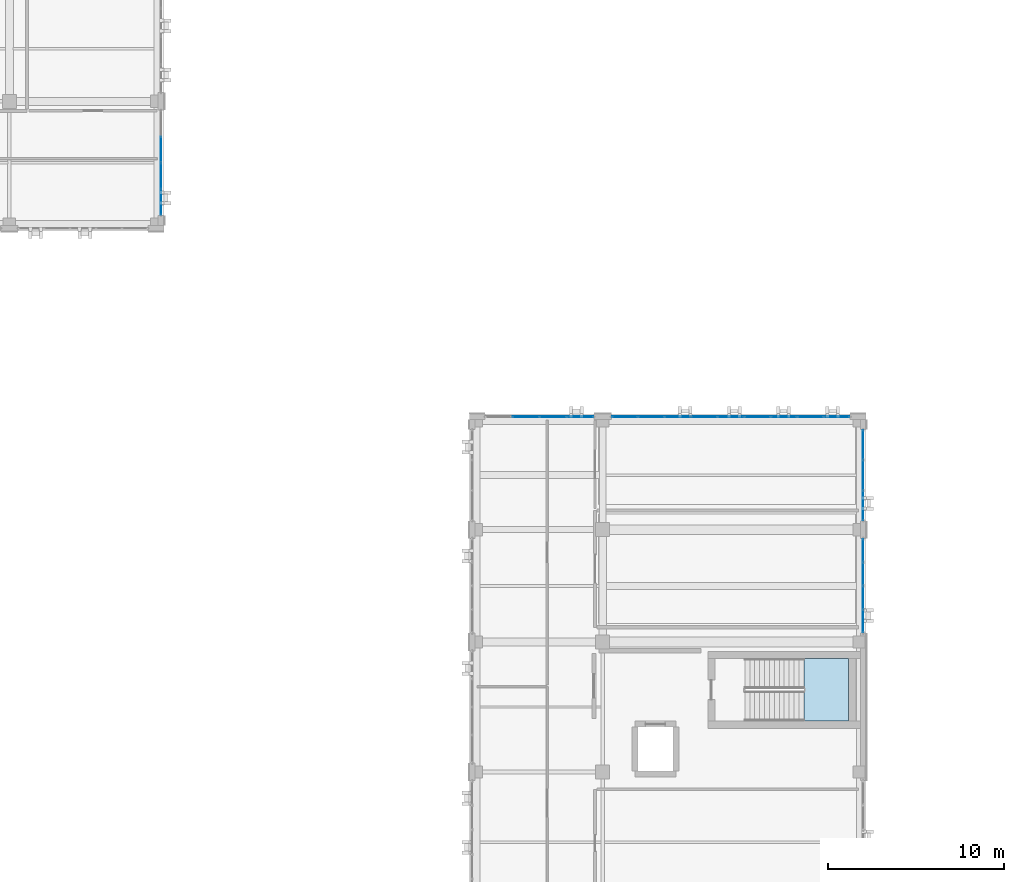
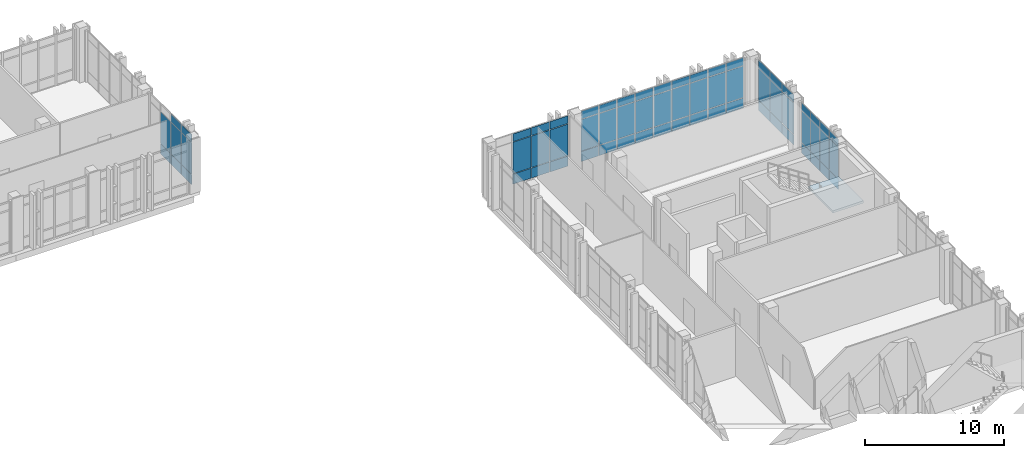
# One storey, part 146 of 189: 65 plates, 1 slab, 6 elements without a shape of their own.
"""IFC4 building model written with IfcOpenShell, lengths in metres."""

from ifc_helpers import new_model, si_unit, direction, frame, origin, origin_2d, place, context, subcontext, project, spatial, polyline, rectangle, outline, extrude, material, layer, layer_set, type_object, element, aggregate, save


model = new_model("IFC4")

# Units and contexts
model_context = context("Model", 3, precision=1e-05, world=origin(), true_north=direction((0.0, 1.0)))
body_context = subcontext(model_context, "Body", "Model", "MODEL_VIEW")
ifc_project = project(units=[si_unit("LENGTHUNIT", "METRE"), si_unit("AREAUNIT", "SQUARE_METRE"), si_unit("VOLUMEUNIT", "CUBIC_METRE"), si_unit("PLANEANGLEUNIT", "RADIAN"), si_unit("MASSUNIT", "GRAM", prefix="KILO")], contexts=[model_context])

# Site, building, storey
site_placement = place(None, origin())
site = spatial("IfcSite", under=ifc_project, at=site_placement, CompositionType="ELEMENT")
building_placement = place(site_placement, origin())
building = spatial("IfcBuilding", under=site, at=building_placement, Name="Qalavern Law Courts", CompositionType="ELEMENT")
storey_placement = place(building_placement, frame((0.0, 0.0, 5.39990234375)))
storey = spatial("IfcBuildingStorey", under=building, at=storey_placement, Name="L01", CompositionType="ELEMENT", Elevation=5.39990234375)

# Curtain wall, plates
ifc_material_1 = material(Name="Anodised aluminium and insulated glazing", Category="aluminium")
ifc_layer_1 = layer(ifc_material_1, 0.172119140625)
ifc_layer_set_1 = layer_set([ifc_layer_1], Name="Anodised aluminium and insulated glazing")
curtain_wall_type_1 = type_object("IfcCurtainWallType", Name="ENV-CW-COURT", PredefinedType="USERDEFINED", material=ifc_layer_set_1)
curtain_wall_1_placement = place(storey_placement, origin())
curtain_wall_1 = element("IfcCurtainWall", 1, at=curtain_wall_1_placement, inside=storey, type_object=curtain_wall_type_1, Name="V4 unitised curtain wall L01 east 4", ObjectType="UNITISED CURTAIN WALL", PredefinedType="USERDEFINED")
ifc_material_2 = material(Name="Insulated low-E acoustic glazing", Category="glass")
ifc_layer_2 = layer(ifc_material_2, 0.02392578125)
ifc_layer_set_2 = layer_set([ifc_layer_2], Name="Insulated low-E acoustic glazing")
plate_type_1 = type_object("IfcPlateType", Name="ENV-CWP-24", PredefinedType="CURTAIN_PANEL", material=ifc_layer_set_2)
plate_1_placement = place(storey_placement, frame((106.637451171875, 73.987060546875, 0.048095703125), z_axis=(0.0, 0.0, 1.0), x_axis=(0.0, 1.0, 0.0)))
plate_1 = element("IfcPlate", 2, at=plate_1_placement, type_object=plate_type_1, Name="CW-03 panel 1.1", PredefinedType="CURTAIN_PANEL", context=body_context, shape_type="SweptSolid", body=[
    extrude(rectangle(XDim=1.278076171875, YDim=0.02392578125, at=origin_2d()), origin(), (0.0, 0.0, 1.0), 0.8779296875),
])
plate_2_placement = place(storey_placement, frame((106.637451171875, 73.987060546875, 0.97412109375), z_axis=(0.0, 0.0, 1.0), x_axis=(0.0, 1.0, 0.0)))
plate_2 = element("IfcPlate", 3, at=plate_2_placement, type_object=plate_type_1, Name="CW-03 panel 1.2", PredefinedType="CURTAIN_PANEL", context=body_context, shape_type="SweptSolid", body=[
    extrude(rectangle(XDim=1.278076171875, YDim=0.02392578125, at=origin_2d()), origin(), (0.0, 0.0, 1.0), 2.761962890625),
])
plate_3_placement = place(storey_placement, frame((106.637451171875, 73.987060546875, 3.7841796875), z_axis=(0.0, 0.0, 1.0), x_axis=(0.0, 1.0, 0.0)))
plate_3 = element("IfcPlate", 4, at=plate_3_placement, type_object=plate_type_1, Name="CW-03 panel 1.3", PredefinedType="CURTAIN_PANEL", context=body_context, shape_type="SweptSolid", body=[
    extrude(rectangle(XDim=1.278076171875, YDim=0.02392578125, at=origin_2d()), origin(), (0.0, 0.0, 1.0), 0.677978515625),
])
plate_4_placement = place(storey_placement, frame((106.637451171875, 75.324951171875, 0.048095703125), z_axis=(0.0, 0.0, 1.0), x_axis=(0.0, 1.0, 0.0)))
plate_4 = element("IfcPlate", 5, at=plate_4_placement, type_object=plate_type_1, Name="CW-03 panel 2.1", PredefinedType="CURTAIN_PANEL", context=body_context, shape_type="SweptSolid", body=[
    extrude(rectangle(XDim=1.302001953125, YDim=0.02392578125, at=origin_2d()), origin(), (0.0, 0.0, 1.0), 0.8779296875),
])
plate_5_placement = place(storey_placement, frame((106.637451171875, 75.324951171875, 0.97412109375), z_axis=(0.0, 0.0, 1.0), x_axis=(0.0, 1.0, 0.0)))
plate_5 = element("IfcPlate", 6, at=plate_5_placement, type_object=plate_type_1, Name="CW-03 panel 2.2", PredefinedType="CURTAIN_PANEL", context=body_context, shape_type="SweptSolid", body=[
    extrude(rectangle(XDim=1.302001953125, YDim=0.02392578125, at=origin_2d()), origin(), (0.0, 0.0, 1.0), 2.761962890625),
])
plate_6_placement = place(storey_placement, frame((106.637451171875, 75.324951171875, 3.7841796875), z_axis=(0.0, 0.0, 1.0), x_axis=(0.0, 1.0, 0.0)))
plate_6 = element("IfcPlate", 7, at=plate_6_placement, type_object=plate_type_1, Name="CW-03 panel 2.3", PredefinedType="CURTAIN_PANEL", context=body_context, shape_type="SweptSolid", body=[
    extrude(rectangle(XDim=1.302001953125, YDim=0.02392578125, at=origin_2d()), origin(), (0.0, 0.0, 1.0), 0.677978515625),
])
plate_7_placement = place(storey_placement, frame((106.637451171875, 76.675048828125, 0.048095703125), z_axis=(0.0, 0.0, 1.0), x_axis=(0.0, 1.0, 0.0)))
plate_7 = element("IfcPlate", 8, at=plate_7_placement, type_object=plate_type_1, Name="CW-03 panel 3.1", PredefinedType="CURTAIN_PANEL", context=body_context, shape_type="SweptSolid", body=[
    extrude(rectangle(XDim=1.302001953125, YDim=0.02392578125, at=origin_2d()), origin(), (0.0, 0.0, 1.0), 0.8779296875),
])
plate_8_placement = place(storey_placement, frame((106.637451171875, 76.675048828125, 0.97412109375), z_axis=(0.0, 0.0, 1.0), x_axis=(0.0, 1.0, 0.0)))
plate_8 = element("IfcPlate", 9, at=plate_8_placement, type_object=plate_type_1, Name="CW-03 panel 3.2", PredefinedType="CURTAIN_PANEL", context=body_context, shape_type="SweptSolid", body=[
    extrude(rectangle(XDim=1.302001953125, YDim=0.02392578125, at=origin_2d()), origin(), (0.0, 0.0, 1.0), 2.761962890625),
])
plate_9_placement = place(storey_placement, frame((106.637451171875, 76.675048828125, 3.7841796875), z_axis=(0.0, 0.0, 1.0), x_axis=(0.0, 1.0, 0.0)))
plate_9 = element("IfcPlate", 10, at=plate_9_placement, type_object=plate_type_1, Name="CW-03 panel 3.3", PredefinedType="CURTAIN_PANEL", context=body_context, shape_type="SweptSolid", body=[
    extrude(rectangle(XDim=1.302001953125, YDim=0.02392578125, at=origin_2d()), origin(), (0.0, 0.0, 1.0), 0.677978515625),
])
plate_10_placement = place(storey_placement, frame((106.637451171875, 78.012939453125, 0.048095703125), z_axis=(0.0, 0.0, 1.0), x_axis=(0.0, 1.0, 0.0)))
plate_10 = element("IfcPlate", 11, at=plate_10_placement, type_object=plate_type_1, Name="CW-03 panel 4.1", PredefinedType="CURTAIN_PANEL", context=body_context, shape_type="SweptSolid", body=[
    extrude(rectangle(XDim=1.278076171875, YDim=0.02392578125, at=origin_2d()), origin(), (0.0, 0.0, 1.0), 0.8779296875),
])
plate_11_placement = place(storey_placement, frame((106.637451171875, 78.012939453125, 0.97412109375), z_axis=(0.0, 0.0, 1.0), x_axis=(0.0, 1.0, 0.0)))
plate_11 = element("IfcPlate", 12, at=plate_11_placement, type_object=plate_type_1, Name="CW-03 panel 4.2", PredefinedType="CURTAIN_PANEL", context=body_context, shape_type="SweptSolid", body=[
    extrude(rectangle(XDim=1.278076171875, YDim=0.02392578125, at=origin_2d()), origin(), (0.0, 0.0, 1.0), 2.761962890625),
])
plate_12_placement = place(storey_placement, frame((106.637451171875, 78.012939453125, 3.7841796875), z_axis=(0.0, 0.0, 1.0), x_axis=(0.0, 1.0, 0.0)))
plate_12 = element("IfcPlate", 13, at=plate_12_placement, type_object=plate_type_1, Name="CW-03 panel 4.3", PredefinedType="CURTAIN_PANEL", context=body_context, shape_type="SweptSolid", body=[
    extrude(rectangle(XDim=1.278076171875, YDim=0.02392578125, at=origin_2d()), origin(), (0.0, 0.0, 1.0), 0.677978515625),
])
aggregate(curtain_wall_1, [plate_1, plate_2, plate_3, plate_4, plate_5, plate_6, plate_7, plate_8, plate_9, plate_10, plate_11, plate_12])

curtain_wall_2_placement = place(storey_placement, origin())
curtain_wall_2 = element("IfcCurtainWall", 14, at=curtain_wall_2_placement, inside=storey, type_object=curtain_wall_type_1, Name="V4 unitised curtain wall L01 east 5", ObjectType="UNITISED CURTAIN WALL", PredefinedType="USERDEFINED")
ifc_layer_3 = layer(ifc_material_2, 0.028076171875)
ifc_layer_set_3 = layer_set([ifc_layer_3], Name="Insulated low-E acoustic glazing")
plate_type_2 = type_object("IfcPlateType", Name="ENV-CWP-28", PredefinedType="CURTAIN_PANEL", material=ifc_layer_set_3)
plate_13_placement = place(storey_placement, frame((106.637451171875, 80.57861328125, 0.048095703125), z_axis=(0.0, 0.0, 1.0), x_axis=(0.0, 1.0, 0.0)))
plate_13 = element("IfcPlate", 15, at=plate_13_placement, type_object=plate_type_2, Name="CW-03 panel 1.1", PredefinedType="CURTAIN_PANEL", context=body_context, shape_type="SweptSolid", body=[
    extrude(rectangle(XDim=1.661376953125, YDim=0.028076171875, at=origin_2d()), origin(), (0.0, 0.0, 1.0), 0.8779296875),
])
plate_14_placement = place(storey_placement, frame((106.637451171875, 80.57861328125, 0.97412109375), z_axis=(0.0, 0.0, 1.0), x_axis=(0.0, 1.0, 0.0)))
plate_14 = element("IfcPlate", 16, at=plate_14_placement, type_object=plate_type_2, Name="CW-03 panel 1.2", PredefinedType="CURTAIN_PANEL", context=body_context, shape_type="SweptSolid", body=[
    extrude(rectangle(XDim=1.661376953125, YDim=0.028076171875, at=origin_2d()), origin(), (0.0, 0.0, 1.0), 2.761962890625),
])
plate_15_placement = place(storey_placement, frame((106.637451171875, 80.57861328125, 3.7841796875), z_axis=(0.0, 0.0, 1.0), x_axis=(0.0, 1.0, 0.0)))
plate_15 = element("IfcPlate", 17, at=plate_15_placement, type_object=plate_type_2, Name="CW-03 panel 1.3", PredefinedType="CURTAIN_PANEL", context=body_context, shape_type="SweptSolid", body=[
    extrude(rectangle(XDim=1.661376953125, YDim=0.028076171875, at=origin_2d()), origin(), (0.0, 0.0, 1.0), 0.677978515625),
])
plate_16_placement = place(storey_placement, frame((106.637451171875, 82.300048828125, 0.048095703125), z_axis=(0.0, 0.0, 1.0), x_axis=(0.0, 1.0, 0.0)))
plate_16 = element("IfcPlate", 18, at=plate_16_placement, type_object=plate_type_2, Name="CW-03 panel 2.1", PredefinedType="CURTAIN_PANEL", context=body_context, shape_type="SweptSolid", body=[
    extrude(rectangle(XDim=1.685302734375, YDim=0.028076171875, at=origin_2d()), origin(), (0.0, 0.0, 1.0), 0.8779296875),
])
plate_17_placement = place(storey_placement, frame((106.637451171875, 82.300048828125, 0.97412109375), z_axis=(0.0, 0.0, 1.0), x_axis=(0.0, 1.0, 0.0)))
plate_17 = element("IfcPlate", 19, at=plate_17_placement, type_object=plate_type_2, Name="CW-03 panel 2.2", PredefinedType="CURTAIN_PANEL", context=body_context, shape_type="SweptSolid", body=[
    extrude(rectangle(XDim=1.685302734375, YDim=0.028076171875, at=origin_2d()), origin(), (0.0, 0.0, 1.0), 2.761962890625),
])
plate_18_placement = place(storey_placement, frame((106.637451171875, 82.300048828125, 3.7841796875), z_axis=(0.0, 0.0, 1.0), x_axis=(0.0, 1.0, 0.0)))
plate_18 = element("IfcPlate", 20, at=plate_18_placement, type_object=plate_type_2, Name="CW-03 panel 2.3", PredefinedType="CURTAIN_PANEL", context=body_context, shape_type="SweptSolid", body=[
    extrude(rectangle(XDim=1.685302734375, YDim=0.028076171875, at=origin_2d()), origin(), (0.0, 0.0, 1.0), 0.677978515625),
])
plate_19_placement = place(storey_placement, frame((106.637451171875, 84.021240234375, 0.048095703125), z_axis=(0.0, 0.0, 1.0), x_axis=(0.0, 1.0, 0.0)))
plate_19 = element("IfcPlate", 21, at=plate_19_placement, type_object=plate_type_2, Name="CW-03 panel 3.1", PredefinedType="CURTAIN_PANEL", context=body_context, shape_type="SweptSolid", body=[
    extrude(rectangle(XDim=1.661376953125, YDim=0.028076171875, at=origin_2d()), origin(), (0.0, 0.0, 1.0), 0.8779296875),
])
plate_20_placement = place(storey_placement, frame((106.637451171875, 84.021240234375, 0.97412109375), z_axis=(0.0, 0.0, 1.0), x_axis=(0.0, 1.0, 0.0)))
plate_20 = element("IfcPlate", 22, at=plate_20_placement, type_object=plate_type_2, Name="CW-03 panel 3.2", PredefinedType="CURTAIN_PANEL", context=body_context, shape_type="SweptSolid", body=[
    extrude(rectangle(XDim=1.661376953125, YDim=0.028076171875, at=origin_2d()), origin(), (0.0, 0.0, 1.0), 2.761962890625),
])
plate_21_placement = place(storey_placement, frame((106.637451171875, 84.021240234375, 3.7841796875), z_axis=(0.0, 0.0, 1.0), x_axis=(0.0, 1.0, 0.0)))
plate_21 = element("IfcPlate", 23, at=plate_21_placement, type_object=plate_type_2, Name="CW-03 panel 3.3", PredefinedType="CURTAIN_PANEL", context=body_context, shape_type="SweptSolid", body=[
    extrude(rectangle(XDim=1.661376953125, YDim=0.028076171875, at=origin_2d()), origin(), (0.0, 0.0, 1.0), 0.677978515625),
])
aggregate(curtain_wall_2, [plate_13, plate_14, plate_15, plate_16, plate_17, plate_18, plate_19, plate_20, plate_21])

curtain_wall_3_placement = place(storey_placement, origin())
curtain_wall_3 = element("IfcCurtainWall", 24, at=curtain_wall_3_placement, inside=storey, type_object=curtain_wall_type_1, Name="V4 unitised curtain wall L01 north 1", ObjectType="UNITISED CURTAIN WALL", PredefinedType="USERDEFINED")
ifc_layer_4 = layer(ifc_material_2, 0.0439453125)
ifc_layer_set_4 = layer_set([ifc_layer_4], Name="Insulated low-E acoustic glazing")
plate_type_3 = type_object("IfcPlateType", Name="ENV-CWP-44", PredefinedType="CURTAIN_PANEL", material=ifc_layer_set_4)
plate_22_placement = place(storey_placement, frame((105.13232421875, 85.637451171875, 0.048095703125), z_axis=(0.0, 0.0, 1.0), x_axis=(-1.0, 0.0, 0.0)))
plate_22 = element("IfcPlate", 25, at=plate_22_placement, type_object=plate_type_3, Name="CW-03 panel 1.1", PredefinedType="CURTAIN_PANEL", context=body_context, shape_type="SweptSolid", body=[
    extrude(rectangle(XDim=1.439208984375, YDim=0.0439453125, at=origin_2d()), origin(), (0.0, 0.0, 1.0), 0.8779296875),
])
plate_23_placement = place(storey_placement, frame((105.13232421875, 85.637451171875, 0.97412109375), z_axis=(0.0, 0.0, 1.0), x_axis=(-1.0, 0.0, 0.0)))
plate_23 = element("IfcPlate", 26, at=plate_23_placement, type_object=plate_type_3, Name="CW-03 panel 1.2", PredefinedType="CURTAIN_PANEL", context=body_context, shape_type="SweptSolid", body=[
    extrude(rectangle(XDim=1.439208984375, YDim=0.0439453125, at=origin_2d()), origin(), (0.0, 0.0, 1.0), 2.761962890625),
])
plate_24_placement = place(storey_placement, frame((105.13232421875, 85.637451171875, 3.7841796875), z_axis=(0.0, 0.0, 1.0), x_axis=(-1.0, 0.0, 0.0)))
plate_24 = element("IfcPlate", 27, at=plate_24_placement, type_object=plate_type_3, Name="CW-03 panel 1.3", PredefinedType="CURTAIN_PANEL", context=body_context, shape_type="SweptSolid", body=[
    extrude(rectangle(XDim=1.439208984375, YDim=0.0439453125, at=origin_2d()), origin(), (0.0, 0.0, 1.0), 0.677978515625),
])
plate_25_placement = place(storey_placement, frame((103.63330078125, 85.637451171875, 0.048095703125), z_axis=(0.0, 0.0, 1.0), x_axis=(-1.0, 0.0, 0.0)))
plate_25 = element("IfcPlate", 28, at=plate_25_placement, type_object=plate_type_3, Name="CW-03 panel 2.1", PredefinedType="CURTAIN_PANEL", context=body_context, shape_type="SweptSolid", body=[
    extrude(rectangle(XDim=1.463134765625, YDim=0.0439453125, at=origin_2d()), origin(), (0.0, 0.0, 1.0), 0.8779296875),
])
plate_26_placement = place(storey_placement, frame((103.63330078125, 85.637451171875, 0.97412109375), z_axis=(0.0, 0.0, 1.0), x_axis=(-1.0, 0.0, 0.0)))
plate_26 = element("IfcPlate", 29, at=plate_26_placement, type_object=plate_type_3, Name="CW-03 panel 2.2", PredefinedType="CURTAIN_PANEL", context=body_context, shape_type="SweptSolid", body=[
    extrude(rectangle(XDim=1.463134765625, YDim=0.0439453125, at=origin_2d()), origin(), (0.0, 0.0, 1.0), 2.761962890625),
])
plate_27_placement = place(storey_placement, frame((103.63330078125, 85.637451171875, 3.7841796875), z_axis=(0.0, 0.0, 1.0), x_axis=(-1.0, 0.0, 0.0)))
plate_27 = element("IfcPlate", 30, at=plate_27_placement, type_object=plate_type_3, Name="CW-03 panel 2.3", PredefinedType="CURTAIN_PANEL", context=body_context, shape_type="SweptSolid", body=[
    extrude(rectangle(XDim=1.463134765625, YDim=0.0439453125, at=origin_2d()), origin(), (0.0, 0.0, 1.0), 0.677978515625),
])
plate_28_placement = place(storey_placement, frame((102.122314453125, 85.637451171875, 0.048095703125), z_axis=(0.0, 0.0, 1.0), x_axis=(-1.0, 0.0, 0.0)))
plate_28 = element("IfcPlate", 31, at=plate_28_placement, type_object=plate_type_3, Name="CW-03 panel 3.1", PredefinedType="CURTAIN_PANEL", context=body_context, shape_type="SweptSolid", body=[
    extrude(rectangle(XDim=1.463134765625, YDim=0.0439453125, at=origin_2d()), origin(), (0.0, 0.0, 1.0), 0.8779296875),
])
plate_29_placement = place(storey_placement, frame((102.122314453125, 85.637451171875, 0.97412109375), z_axis=(0.0, 0.0, 1.0), x_axis=(-1.0, 0.0, 0.0)))
plate_29 = element("IfcPlate", 32, at=plate_29_placement, type_object=plate_type_3, Name="CW-03 panel 3.2", PredefinedType="CURTAIN_PANEL", context=body_context, shape_type="SweptSolid", body=[
    extrude(rectangle(XDim=1.463134765625, YDim=0.0439453125, at=origin_2d()), origin(), (0.0, 0.0, 1.0), 2.761962890625),
])
plate_30_placement = place(storey_placement, frame((102.122314453125, 85.637451171875, 3.7841796875), z_axis=(0.0, 0.0, 1.0), x_axis=(-1.0, 0.0, 0.0)))
plate_30 = element("IfcPlate", 33, at=plate_30_placement, type_object=plate_type_3, Name="CW-03 panel 3.3", PredefinedType="CURTAIN_PANEL", context=body_context, shape_type="SweptSolid", body=[
    extrude(rectangle(XDim=1.463134765625, YDim=0.0439453125, at=origin_2d()), origin(), (0.0, 0.0, 1.0), 0.677978515625),
])
plate_31_placement = place(storey_placement, frame((100.611083984375, 85.637451171875, 0.048095703125), z_axis=(0.0, 0.0, 1.0), x_axis=(-1.0, 0.0, 0.0)))
plate_31 = element("IfcPlate", 34, at=plate_31_placement, type_object=plate_type_3, Name="CW-03 panel 4.1", PredefinedType="CURTAIN_PANEL", context=body_context, shape_type="SweptSolid", body=[
    extrude(rectangle(XDim=1.463134765625, YDim=0.0439453125, at=origin_2d()), origin(), (0.0, 0.0, 1.0), 0.8779296875),
])
plate_32_placement = place(storey_placement, frame((100.611083984375, 85.637451171875, 0.97412109375), z_axis=(0.0, 0.0, 1.0), x_axis=(-1.0, 0.0, 0.0)))
plate_32 = element("IfcPlate", 35, at=plate_32_placement, type_object=plate_type_3, Name="CW-03 panel 4.2", PredefinedType="CURTAIN_PANEL", context=body_context, shape_type="SweptSolid", body=[
    extrude(rectangle(XDim=1.463134765625, YDim=0.0439453125, at=origin_2d()), origin(), (0.0, 0.0, 1.0), 2.761962890625),
])
plate_33_placement = place(storey_placement, frame((100.611083984375, 85.637451171875, 3.7841796875), z_axis=(0.0, 0.0, 1.0), x_axis=(-1.0, 0.0, 0.0)))
plate_33 = element("IfcPlate", 36, at=plate_33_placement, type_object=plate_type_3, Name="CW-03 panel 4.3", PredefinedType="CURTAIN_PANEL", context=body_context, shape_type="SweptSolid", body=[
    extrude(rectangle(XDim=1.463134765625, YDim=0.0439453125, at=origin_2d()), origin(), (0.0, 0.0, 1.0), 0.677978515625),
])
plate_34_placement = place(storey_placement, frame((99.10009765625, 85.637451171875, 0.048095703125), z_axis=(0.0, 0.0, 1.0), x_axis=(-1.0, 0.0, 0.0)))
plate_34 = element("IfcPlate", 37, at=plate_34_placement, type_object=plate_type_3, Name="CW-03 panel 5.1", PredefinedType="CURTAIN_PANEL", context=body_context, shape_type="SweptSolid", body=[
    extrude(rectangle(XDim=1.463134765625, YDim=0.0439453125, at=origin_2d()), origin(), (0.0, 0.0, 1.0), 0.8779296875),
])
plate_35_placement = place(storey_placement, frame((99.10009765625, 85.637451171875, 0.97412109375), z_axis=(0.0, 0.0, 1.0), x_axis=(-1.0, 0.0, 0.0)))
plate_35 = element("IfcPlate", 38, at=plate_35_placement, type_object=plate_type_3, Name="CW-03 panel 5.2", PredefinedType="CURTAIN_PANEL", context=body_context, shape_type="SweptSolid", body=[
    extrude(rectangle(XDim=1.463134765625, YDim=0.0439453125, at=origin_2d()), origin(), (0.0, 0.0, 1.0), 2.761962890625),
])
plate_36_placement = place(storey_placement, frame((99.10009765625, 85.637451171875, 3.7841796875), z_axis=(0.0, 0.0, 1.0), x_axis=(-1.0, 0.0, 0.0)))
plate_36 = element("IfcPlate", 39, at=plate_36_placement, type_object=plate_type_3, Name="CW-03 panel 5.3", PredefinedType="CURTAIN_PANEL", context=body_context, shape_type="SweptSolid", body=[
    extrude(rectangle(XDim=1.463134765625, YDim=0.0439453125, at=origin_2d()), origin(), (0.0, 0.0, 1.0), 0.677978515625),
])
plate_37_placement = place(storey_placement, frame((97.5888671875, 85.637451171875, 0.048095703125), z_axis=(0.0, 0.0, 1.0), x_axis=(-1.0, 0.0, 0.0)))
plate_37 = element("IfcPlate", 40, at=plate_37_placement, type_object=plate_type_3, Name="CW-03 panel 6.1", PredefinedType="CURTAIN_PANEL", context=body_context, shape_type="SweptSolid", body=[
    extrude(rectangle(XDim=1.463134765625, YDim=0.0439453125, at=origin_2d()), origin(), (0.0, 0.0, 1.0), 0.8779296875),
])
plate_38_placement = place(storey_placement, frame((97.5888671875, 85.637451171875, 0.97412109375), z_axis=(0.0, 0.0, 1.0), x_axis=(-1.0, 0.0, 0.0)))
plate_38 = element("IfcPlate", 41, at=plate_38_placement, type_object=plate_type_3, Name="CW-03 panel 6.2", PredefinedType="CURTAIN_PANEL", context=body_context, shape_type="SweptSolid", body=[
    extrude(rectangle(XDim=1.463134765625, YDim=0.0439453125, at=origin_2d()), origin(), (0.0, 0.0, 1.0), 2.761962890625),
])
plate_39_placement = place(storey_placement, frame((97.5888671875, 85.637451171875, 3.7841796875), z_axis=(0.0, 0.0, 1.0), x_axis=(-1.0, 0.0, 0.0)))
plate_39 = element("IfcPlate", 42, at=plate_39_placement, type_object=plate_type_3, Name="CW-03 panel 6.3", PredefinedType="CURTAIN_PANEL", context=body_context, shape_type="SweptSolid", body=[
    extrude(rectangle(XDim=1.463134765625, YDim=0.0439453125, at=origin_2d()), origin(), (0.0, 0.0, 1.0), 0.677978515625),
])
plate_40_placement = place(storey_placement, frame((96.077880859375, 85.637451171875, 0.048095703125), z_axis=(0.0, 0.0, 1.0), x_axis=(-1.0, 0.0, 0.0)))
plate_40 = element("IfcPlate", 43, at=plate_40_placement, type_object=plate_type_3, Name="CW-03 panel 7.1", PredefinedType="CURTAIN_PANEL", context=body_context, shape_type="SweptSolid", body=[
    extrude(rectangle(XDim=1.463134765625, YDim=0.0439453125, at=origin_2d()), origin(), (0.0, 0.0, 1.0), 0.8779296875),
])
plate_41_placement = place(storey_placement, frame((96.077880859375, 85.637451171875, 0.97412109375), z_axis=(0.0, 0.0, 1.0), x_axis=(-1.0, 0.0, 0.0)))
plate_41 = element("IfcPlate", 44, at=plate_41_placement, type_object=plate_type_3, Name="CW-03 panel 7.2", PredefinedType="CURTAIN_PANEL", context=body_context, shape_type="SweptSolid", body=[
    extrude(rectangle(XDim=1.463134765625, YDim=0.0439453125, at=origin_2d()), origin(), (0.0, 0.0, 1.0), 2.761962890625),
])
plate_42_placement = place(storey_placement, frame((96.077880859375, 85.637451171875, 3.7841796875), z_axis=(0.0, 0.0, 1.0), x_axis=(-1.0, 0.0, 0.0)))
plate_42 = element("IfcPlate", 45, at=plate_42_placement, type_object=plate_type_3, Name="CW-03 panel 7.3", PredefinedType="CURTAIN_PANEL", context=body_context, shape_type="SweptSolid", body=[
    extrude(rectangle(XDim=1.463134765625, YDim=0.0439453125, at=origin_2d()), origin(), (0.0, 0.0, 1.0), 0.677978515625),
])
plate_43_placement = place(storey_placement, frame((94.566650390625, 85.637451171875, 0.048095703125), z_axis=(0.0, 0.0, 1.0), x_axis=(-1.0, 0.0, 0.0)))
plate_43 = element("IfcPlate", 46, at=plate_43_placement, type_object=plate_type_3, Name="CW-03 panel 8.1", PredefinedType="CURTAIN_PANEL", context=body_context, shape_type="SweptSolid", body=[
    extrude(rectangle(XDim=1.463134765625, YDim=0.0439453125, at=origin_2d()), origin(), (0.0, 0.0, 1.0), 0.8779296875),
])
plate_44_placement = place(storey_placement, frame((94.566650390625, 85.637451171875, 0.97412109375), z_axis=(0.0, 0.0, 1.0), x_axis=(-1.0, 0.0, 0.0)))
plate_44 = element("IfcPlate", 47, at=plate_44_placement, type_object=plate_type_3, Name="CW-03 panel 8.2", PredefinedType="CURTAIN_PANEL", context=body_context, shape_type="SweptSolid", body=[
    extrude(rectangle(XDim=1.463134765625, YDim=0.0439453125, at=origin_2d()), origin(), (0.0, 0.0, 1.0), 2.761962890625),
])
plate_45_placement = place(storey_placement, frame((94.566650390625, 85.637451171875, 3.7841796875), z_axis=(0.0, 0.0, 1.0), x_axis=(-1.0, 0.0, 0.0)))
plate_45 = element("IfcPlate", 48, at=plate_45_placement, type_object=plate_type_3, Name="CW-03 panel 8.3", PredefinedType="CURTAIN_PANEL", context=body_context, shape_type="SweptSolid", body=[
    extrude(rectangle(XDim=1.463134765625, YDim=0.0439453125, at=origin_2d()), origin(), (0.0, 0.0, 1.0), 0.677978515625),
])
plate_46_placement = place(storey_placement, frame((93.067626953125, 85.637451171875, 0.048095703125), z_axis=(0.0, 0.0, 1.0), x_axis=(-1.0, 0.0, 0.0)))
plate_46 = element("IfcPlate", 49, at=plate_46_placement, type_object=plate_type_3, Name="CW-03 panel 9.1", PredefinedType="CURTAIN_PANEL", context=body_context, shape_type="SweptSolid", body=[
    extrude(rectangle(XDim=1.439208984375, YDim=0.0439453125, at=origin_2d()), origin(), (0.0, 0.0, 1.0), 0.8779296875),
])
plate_47_placement = place(storey_placement, frame((93.067626953125, 85.637451171875, 0.97412109375), z_axis=(0.0, 0.0, 1.0), x_axis=(-1.0, 0.0, 0.0)))
plate_47 = element("IfcPlate", 50, at=plate_47_placement, type_object=plate_type_3, Name="CW-03 panel 9.2", PredefinedType="CURTAIN_PANEL", context=body_context, shape_type="SweptSolid", body=[
    extrude(rectangle(XDim=1.439208984375, YDim=0.0439453125, at=origin_2d()), origin(), (0.0, 0.0, 1.0), 2.761962890625),
])
plate_48_placement = place(storey_placement, frame((93.067626953125, 85.637451171875, 3.7841796875), z_axis=(0.0, 0.0, 1.0), x_axis=(-1.0, 0.0, 0.0)))
plate_48 = element("IfcPlate", 51, at=plate_48_placement, type_object=plate_type_3, Name="CW-03 panel 9.3", PredefinedType="CURTAIN_PANEL", context=body_context, shape_type="SweptSolid", body=[
    extrude(rectangle(XDim=1.439208984375, YDim=0.0439453125, at=origin_2d()), origin(), (0.0, 0.0, 1.0), 0.677978515625),
])
aggregate(curtain_wall_3, [plate_22, plate_23, plate_24, plate_25, plate_26, plate_27, plate_28, plate_29, plate_30, plate_31, plate_32, plate_33, plate_34, plate_35, plate_36, plate_37, plate_38, plate_39, plate_40, plate_41, plate_42, plate_43, plate_44, plate_45, plate_46, plate_47, plate_48])

ifc_layer_5 = layer(ifc_material_1, 0.166015625)
ifc_layer_set_5 = layer_set([ifc_layer_5], Name="Anodised aluminium and insulated glazing")
curtain_wall_type_2 = type_object("IfcCurtainWallType", Name="ENV-CW-LIB", PredefinedType="USERDEFINED", material=ifc_layer_set_5)
curtain_wall_4_placement = place(storey_placement, origin())
curtain_wall_4 = element("IfcCurtainWall", 52, at=curtain_wall_4_placement, inside=storey, type_object=curtain_wall_type_2, Name="V5 unitised curtain wall L01 east 1", ObjectType="UNITISED CURTAIN WALL", PredefinedType="USERDEFINED")
plate_49_placement = place(storey_placement, frame((66.637451171875, 97.862060546875, 0.048095703125), z_axis=(0.0, 0.0, 1.0), x_axis=(0.0, 1.0, 0.0)))
plate_49 = element("IfcPlate", 53, at=plate_49_placement, type_object=plate_type_3, Name="CW-05 panel 1.1", PredefinedType="CURTAIN_PANEL", context=body_context, shape_type="SweptSolid", body=[
    extrude(rectangle(XDim=1.427978515625, YDim=0.0439453125, at=origin_2d()), origin(), (0.0, 0.0, 1.0), 0.8779296875),
])
plate_50_placement = place(storey_placement, frame((66.637451171875, 97.862060546875, 0.97412109375), z_axis=(0.0, 0.0, 1.0), x_axis=(0.0, 1.0, 0.0)))
plate_50 = element("IfcPlate", 54, at=plate_50_placement, type_object=plate_type_3, Name="CW-05 panel 1.2", PredefinedType="CURTAIN_PANEL", context=body_context, shape_type="SweptSolid", body=[
    extrude(rectangle(XDim=1.427978515625, YDim=0.0439453125, at=origin_2d()), origin(), (0.0, 0.0, 1.0), 2.761962890625),
])
plate_51_placement = place(storey_placement, frame((66.637451171875, 97.862060546875, 3.7841796875), z_axis=(0.0, 0.0, 1.0), x_axis=(0.0, 1.0, 0.0)))
plate_51 = element("IfcPlate", 55, at=plate_51_placement, type_object=plate_type_3, Name="CW-05 panel 1.3", PredefinedType="CURTAIN_PANEL", context=body_context, shape_type="SweptSolid", body=[
    extrude(rectangle(XDim=1.427978515625, YDim=0.0439453125, at=origin_2d()), origin(), (0.0, 0.0, 1.0), 0.677978515625),
])
plate_52_placement = place(storey_placement, frame((66.637451171875, 99.35009765625, 0.048095703125), z_axis=(0.0, 0.0, 1.0), x_axis=(0.0, 1.0, 0.0)))
plate_52 = element("IfcPlate", 56, at=plate_52_placement, type_object=plate_type_3, Name="CW-05 panel 2.1", PredefinedType="CURTAIN_PANEL", context=body_context, shape_type="SweptSolid", body=[
    extrude(rectangle(XDim=1.451904296875, YDim=0.0439453125, at=origin_2d()), origin(), (0.0, 0.0, 1.0), 0.8779296875),
])
plate_53_placement = place(storey_placement, frame((66.637451171875, 99.35009765625, 0.97412109375), z_axis=(0.0, 0.0, 1.0), x_axis=(0.0, 1.0, 0.0)))
plate_53 = element("IfcPlate", 57, at=plate_53_placement, type_object=plate_type_3, Name="CW-05 panel 2.2", PredefinedType="CURTAIN_PANEL", context=body_context, shape_type="SweptSolid", body=[
    extrude(rectangle(XDim=1.451904296875, YDim=0.0439453125, at=origin_2d()), origin(), (0.0, 0.0, 1.0), 2.761962890625),
])
plate_54_placement = place(storey_placement, frame((66.637451171875, 99.35009765625, 3.7841796875), z_axis=(0.0, 0.0, 1.0), x_axis=(0.0, 1.0, 0.0)))
plate_54 = element("IfcPlate", 58, at=plate_54_placement, type_object=plate_type_3, Name="CW-05 panel 2.3", PredefinedType="CURTAIN_PANEL", context=body_context, shape_type="SweptSolid", body=[
    extrude(rectangle(XDim=1.451904296875, YDim=0.0439453125, at=origin_2d()), origin(), (0.0, 0.0, 1.0), 0.677978515625),
])
plate_55_placement = place(storey_placement, frame((66.637451171875, 100.85009765625, 0.048095703125), z_axis=(0.0, 0.0, 1.0), x_axis=(0.0, 1.0, 0.0)))
plate_55 = element("IfcPlate", 59, at=plate_55_placement, type_object=plate_type_3, Name="CW-05 panel 3.1", PredefinedType="CURTAIN_PANEL", context=body_context, shape_type="SweptSolid", body=[
    extrude(rectangle(XDim=1.451904296875, YDim=0.0439453125, at=origin_2d()), origin(), (0.0, 0.0, 1.0), 0.8779296875),
])
plate_56_placement = place(storey_placement, frame((66.637451171875, 100.85009765625, 0.97412109375), z_axis=(0.0, 0.0, 1.0), x_axis=(0.0, 1.0, 0.0)))
plate_56 = element("IfcPlate", 60, at=plate_56_placement, type_object=plate_type_3, Name="CW-05 panel 3.2", PredefinedType="CURTAIN_PANEL", context=body_context, shape_type="SweptSolid", body=[
    extrude(rectangle(XDim=1.451904296875, YDim=0.0439453125, at=origin_2d()), origin(), (0.0, 0.0, 1.0), 2.761962890625),
])
aggregate(curtain_wall_4, [plate_49, plate_50, plate_51, plate_52, plate_53, plate_54, plate_55, plate_56])

curtain_wall_5_placement = place(storey_placement, origin())
curtain_wall_5 = element("IfcCurtainWall", 61, at=curtain_wall_5_placement, inside=storey, type_object=curtain_wall_type_1, Name="V4 unitised curtain wall L01 north 2", ObjectType="UNITISED CURTAIN WALL", PredefinedType="USERDEFINED")
ifc_layer_6 = layer(ifc_material_2, 0.048095703125)
ifc_layer_set_6 = layer_set([ifc_layer_6], Name="Insulated low-E acoustic glazing")
plate_type_4 = type_object("IfcPlateType", Name="ENV-CWP-48", PredefinedType="CURTAIN_PANEL", material=ifc_layer_set_6)
plate_57_placement = place(storey_placement, frame((90.512939453125, 85.637451171875, 0.048095703125), z_axis=(0.0, 0.0, 1.0), x_axis=(-1.0, 0.0, 0.0)))
plate_57 = element("IfcPlate", 62, at=plate_57_placement, type_object=plate_type_4, Name="CW-03 panel 1.1", PredefinedType="CURTAIN_PANEL", context=body_context, shape_type="SweptSolid", body=[
    extrude(rectangle(XDim=1.47802734375, YDim=0.048095703125, at=origin_2d()), origin(), (0.0, 0.0, 1.0), 0.8779296875),
])
plate_58_placement = place(storey_placement, frame((90.512939453125, 85.637451171875, 0.97412109375), z_axis=(0.0, 0.0, 1.0), x_axis=(-1.0, 0.0, 0.0)))
plate_58 = element("IfcPlate", 63, at=plate_58_placement, type_object=plate_type_4, Name="CW-03 panel 1.2", PredefinedType="CURTAIN_PANEL", context=body_context, shape_type="SweptSolid", body=[
    extrude(rectangle(XDim=1.47802734375, YDim=0.048095703125, at=origin_2d()), origin(), (0.0, 0.0, 1.0), 2.761962890625),
])
plate_59_placement = place(storey_placement, frame((90.512939453125, 85.637451171875, 3.7841796875), z_axis=(0.0, 0.0, 1.0), x_axis=(-1.0, 0.0, 0.0)))
plate_59 = element("IfcPlate", 64, at=plate_59_placement, type_object=plate_type_4, Name="CW-03 panel 1.3", PredefinedType="CURTAIN_PANEL", context=body_context, shape_type="SweptSolid", body=[
    extrude(rectangle(XDim=1.47802734375, YDim=0.048095703125, at=origin_2d()), origin(), (0.0, 0.0, 1.0), 0.677978515625),
])
plate_60_placement = place(storey_placement, frame((88.97509765625, 85.637451171875, 0.048095703125), z_axis=(0.0, 0.0, 1.0), x_axis=(-1.0, 0.0, 0.0)))
plate_60 = element("IfcPlate", 65, at=plate_60_placement, type_object=plate_type_4, Name="CW-03 panel 2.1", PredefinedType="CURTAIN_PANEL", context=body_context, shape_type="SweptSolid", body=[
    extrude(rectangle(XDim=1.501953125, YDim=0.048095703125, at=origin_2d()), origin(), (0.0, 0.0, 1.0), 0.8779296875),
])
plate_61_placement = place(storey_placement, frame((88.97509765625, 85.637451171875, 0.97412109375), z_axis=(0.0, 0.0, 1.0), x_axis=(-1.0, 0.0, 0.0)))
plate_61 = element("IfcPlate", 66, at=plate_61_placement, type_object=plate_type_4, Name="CW-03 panel 2.2", PredefinedType="CURTAIN_PANEL", context=body_context, shape_type="SweptSolid", body=[
    extrude(rectangle(XDim=1.501953125, YDim=0.048095703125, at=origin_2d()), origin(), (0.0, 0.0, 1.0), 2.761962890625),
])
plate_62_placement = place(storey_placement, frame((88.97509765625, 85.637451171875, 3.7841796875), z_axis=(0.0, 0.0, 1.0), x_axis=(-1.0, 0.0, 0.0)))
plate_62 = element("IfcPlate", 67, at=plate_62_placement, type_object=plate_type_4, Name="CW-03 panel 2.3", PredefinedType="CURTAIN_PANEL", context=body_context, shape_type="SweptSolid", body=[
    extrude(rectangle(XDim=1.501953125, YDim=0.048095703125, at=origin_2d()), origin(), (0.0, 0.0, 1.0), 0.677978515625),
])
plate_63_placement = place(storey_placement, frame((87.425048828125, 85.637451171875, 0.048095703125), z_axis=(0.0, 0.0, 1.0), x_axis=(-1.0, 0.0, 0.0)))
plate_63 = element("IfcPlate", 68, at=plate_63_placement, type_object=plate_type_4, Name="CW-03 panel 3.1", PredefinedType="CURTAIN_PANEL", context=body_context, shape_type="SweptSolid", body=[
    extrude(rectangle(XDim=1.501953125, YDim=0.048095703125, at=origin_2d()), origin(), (0.0, 0.0, 1.0), 0.8779296875),
])
plate_64_placement = place(storey_placement, frame((87.425048828125, 85.637451171875, 0.97412109375), z_axis=(0.0, 0.0, 1.0), x_axis=(-1.0, 0.0, 0.0)))
plate_64 = element("IfcPlate", 69, at=plate_64_placement, type_object=plate_type_4, Name="CW-03 panel 3.2", PredefinedType="CURTAIN_PANEL", context=body_context, shape_type="SweptSolid", body=[
    extrude(rectangle(XDim=1.501953125, YDim=0.048095703125, at=origin_2d()), origin(), (0.0, 0.0, 1.0), 2.761962890625),
])
plate_65_placement = place(storey_placement, frame((87.425048828125, 85.637451171875, 3.7841796875), z_axis=(0.0, 0.0, 1.0), x_axis=(-1.0, 0.0, 0.0)))
plate_65 = element("IfcPlate", 70, at=plate_65_placement, type_object=plate_type_4, Name="CW-03 panel 3.3", PredefinedType="CURTAIN_PANEL", context=body_context, shape_type="SweptSolid", body=[
    extrude(rectangle(XDim=1.501953125, YDim=0.048095703125, at=origin_2d()), origin(), (0.0, 0.0, 1.0), 0.677978515625),
])
aggregate(curtain_wall_5, [plate_57, plate_58, plate_59, plate_60, plate_61, plate_62, plate_63, plate_64, plate_65])

# Stair, slab
ifc_material_3 = material(Name="Concrete C35/45", Category="concrete")
stair_type = type_object("IfcStairType", Name="INT-STAIR-1700", PredefinedType="HALF_TURN_STAIR", material=ifc_material_3)
stair_placement = place(storey_placement, origin())
stair = element("IfcStair", 71, at=stair_placement, inside=storey, type_object=stair_type, Name="L01 ST-K1B", PredefinedType="HALF_TURN_STAIR")
ifc_layer_7 = layer(ifc_material_3, 0.199951171875)
ifc_layer_set_7 = layer_set([ifc_layer_7], Name="Concrete C35/45")
slab_type = type_object("IfcSlabType", Name="INT-LANDING-200", PredefinedType="LANDING", material=ifc_layer_set_7)
slab_placement = place(storey_placement, frame((0.0, 0.0, 2.2001953125)))
slab = element("IfcSlab", 72, at=slab_placement, type_object=slab_type, Name="ST-K1B landing 1", PredefinedType="LANDING", context=body_context, shape_type="SweptSolid", body=[
    extrude(outline(polyline([(103.260009765625, 68.300048828125), (105.800048828125, 68.300048828125), (105.800048828125, 71.85009765625), (103.260009765625, 71.85009765625), (103.260009765625, 68.300048828125)])), origin(), (0.0, 0.0, 1.0), 0.199951171875),
])
aggregate(stair, [slab])

save(model, "model.ifc")
